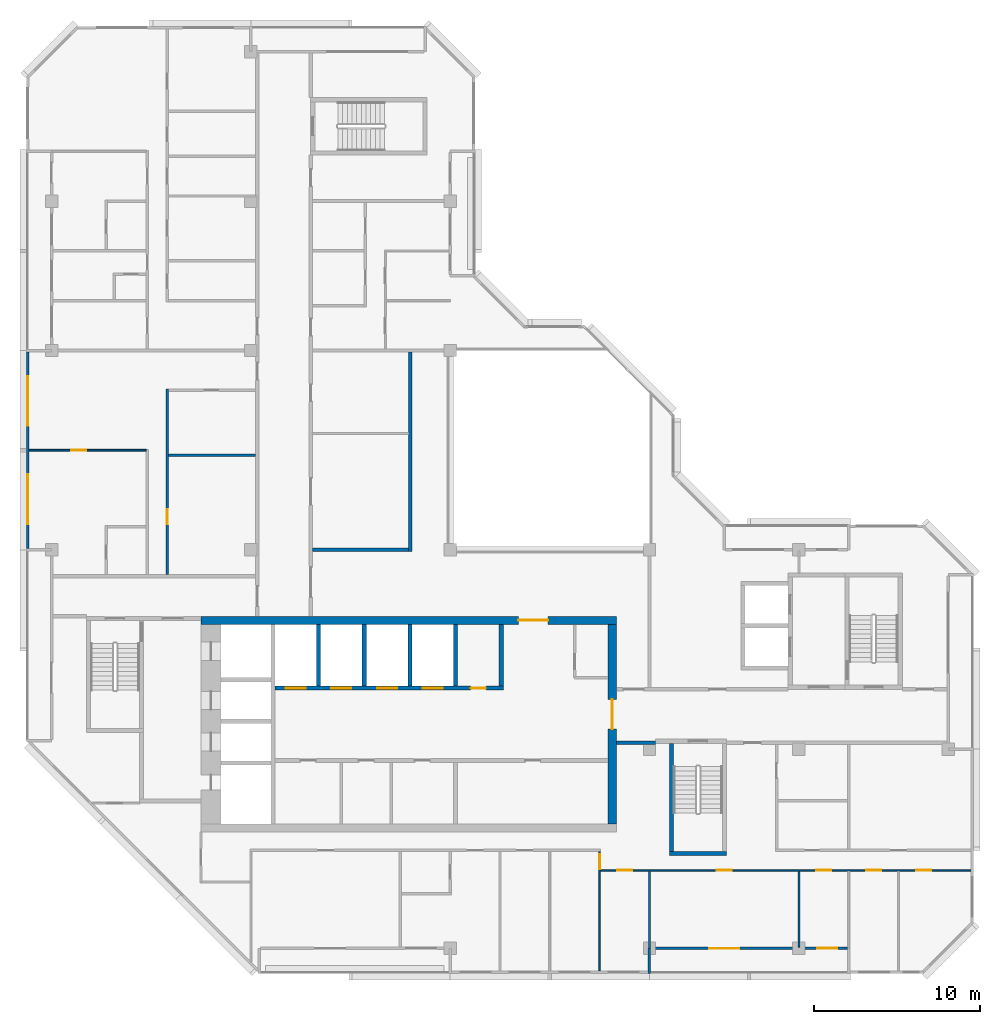
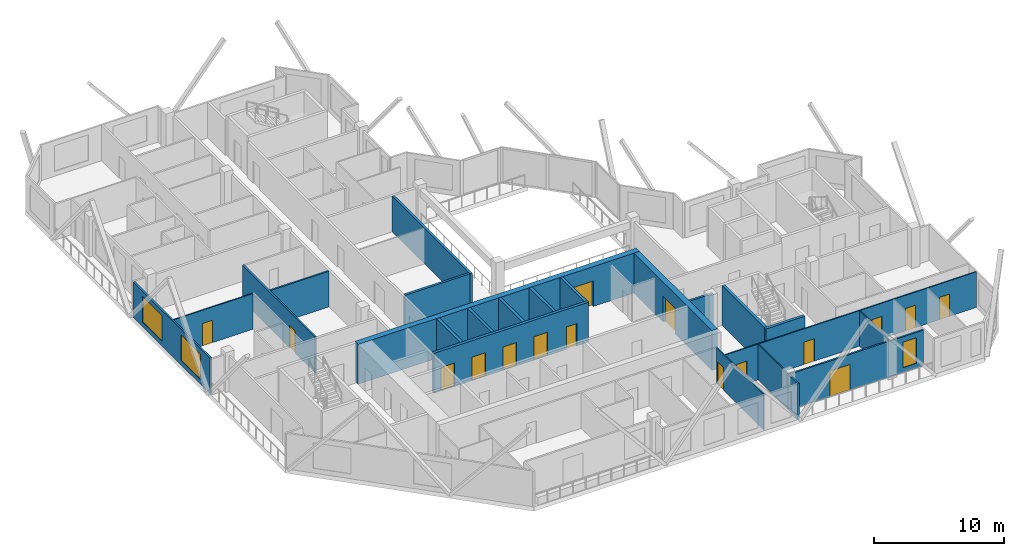
# One storey, part 5 of 12: 23 walls, 16 doors, 3 windows, 19 openings.
"""IFC4 building model written with IfcOpenShell, lengths in metres."""

from ifc_helpers import new_model, si_unit, direction, frame, frame_2d, origin, place, context, subcontext, project, spatial, rectangle, extrude, material, layer, layer_set, type_object, element, fill, save


model = new_model("IFC4")

# Units and contexts
model_context = context("Model", 3, precision=1e-05, world=origin(), true_north=direction((0.0, 1.0)))
body_context = subcontext(model_context, "Body", "Model", "MODEL_VIEW")
ifc_project = project(units=[si_unit("LENGTHUNIT", "METRE"), si_unit("AREAUNIT", "SQUARE_METRE"), si_unit("VOLUMEUNIT", "CUBIC_METRE"), si_unit("PLANEANGLEUNIT", "RADIAN"), si_unit("MASSUNIT", "GRAM", prefix="KILO")], contexts=[model_context])

# Site, building, storey
site_placement = place(None, origin())
site = spatial("IfcSite", under=ifc_project, at=site_placement, CompositionType="ELEMENT")
building_placement = place(site_placement, origin())
building = spatial("IfcBuilding", under=site, at=building_placement, Name="Chenar Terraces", CompositionType="ELEMENT")
storey_placement = place(building_placement, frame((0.0, 0.0, 346.39990234375)))
storey = spatial("IfcBuildingStorey", under=building, at=storey_placement, Name="L80", CompositionType="ELEMENT", Elevation=346.39990234375)

# Wall, openings, doors
ifc_material_1 = material(Name="Concrete C50/60", Category="concrete")
ifc_layer_1 = layer(ifc_material_1, 0.25)
ifc_layer_set_1 = layer_set([ifc_layer_1], Name="Concrete C50/60")
wall_type_1 = type_object("IfcWallType", Name="Core wall 250 Concrete C50/60", PredefinedType="SHEAR", material=ifc_layer_set_1)
wall_1_placement = place(storey_placement, frame((13.449951171875, 15.675048828125, 0.0), z_axis=(0.0, 0.0, 1.0), x_axis=(1.0, 0.0, 0.0)))
wall_1 = element("IfcWall", 1, at=wall_1_placement, inside=storey, type_object=wall_type_1, Name="Core wall NF L80", PredefinedType="SHEAR", context=body_context, shape_type="SweptSolid", body=[
    extrude(rectangle(XDim=13.75, YDim=0.25, at=frame_2d((6.875, 0.0))), origin(), (0.0, 0.0, 1.0), 3.75),
])
opening_1_placement = place(wall_1_placement, frame((0.64990234375, 0.0, 0.0)))
opening_1 = element("IfcOpeningElement", 2, at=opening_1_placement, cuts=wall_1, Name="Opening DL80-LD1", PredefinedType="OPENING", context=body_context, shape_type="SweptSolid", body=[
    extrude(rectangle(XDim=1.199951171875, YDim=2.199951171875, at=frame_2d((0.60009765625, 1.10009765625))), frame((0.0, 0.135009765625, 0.0), z_axis=(0.0, -1.0, 0.0), x_axis=(1.0, 0.0, 0.0)), (0.0, 0.0, 1.0), 0.27001953125),
])
opening_2_placement = place(wall_1_placement, frame((3.39990234375, 0.0, 0.0)))
opening_2 = element("IfcOpeningElement", 3, at=opening_2_placement, cuts=wall_1, Name="Opening DL80-LD2", PredefinedType="OPENING", context=body_context, shape_type="SweptSolid", body=[
    extrude(rectangle(XDim=1.199951171875, YDim=2.199951171875, at=frame_2d((0.60009765625, 1.10009765625))), frame((0.0, 0.135009765625, 0.0), z_axis=(0.0, -1.0, 0.0), x_axis=(1.0, 0.0, 0.0)), (0.0, 0.0, 1.0), 0.27001953125),
])
opening_3_placement = place(wall_1_placement, frame((6.14990234375, 0.0, 0.0)))
opening_3 = element("IfcOpeningElement", 4, at=opening_3_placement, cuts=wall_1, Name="Opening DL80-LD3", PredefinedType="OPENING", context=body_context, shape_type="SweptSolid", body=[
    extrude(rectangle(XDim=1.199951171875, YDim=2.199951171875, at=frame_2d((0.60009765625, 1.10009765625))), frame((0.0, 0.135009765625, 0.0), z_axis=(0.0, -1.0, 0.0), x_axis=(1.0, 0.0, 0.0)), (0.0, 0.0, 1.0), 0.27001953125),
])
opening_4_placement = place(wall_1_placement, frame((8.89990234375, 0.0, 0.0)))
opening_4 = element("IfcOpeningElement", 5, at=opening_4_placement, cuts=wall_1, Name="Opening DL80-LD4", PredefinedType="OPENING", context=body_context, shape_type="SweptSolid", body=[
    extrude(rectangle(XDim=1.199951171875, YDim=2.199951171875, at=frame_2d((0.60009765625, 1.10009765625))), frame((0.0, 0.135009765625, 0.0), z_axis=(0.0, -1.0, 0.0), x_axis=(1.0, 0.0, 0.0)), (0.0, 0.0, 1.0), 0.27001953125),
])
opening_5_placement = place(wall_1_placement, frame((11.800048828125, 0.0, 0.0)))
opening_5 = element("IfcOpeningElement", 6, at=opening_5_placement, cuts=wall_1, Name="Opening DL80-C16", PredefinedType="OPENING", context=body_context, shape_type="SweptSolid", body=[
    extrude(rectangle(XDim=0.89990234375, YDim=2.10009765625, at=frame_2d((0.449951171875, 1.050048828125))), frame((0.0, 0.135009765625, 0.0), z_axis=(0.0, -1.0, 0.0), x_axis=(1.0, 0.0, 0.0)), (0.0, 0.0, 1.0), 0.27001953125),
])
ifc_material_2 = material(Name="Stainless steel", Category="steel")
door_type_1 = type_object("IfcDoorType", Name="Lift landing door 1200 x 2200 sliding", OperationType="DOUBLE_DOOR_SLIDING", PredefinedType="DOOR", material=ifc_material_2)
door_1_placement = place(opening_1_placement, origin())
door_1 = element("IfcDoor", 7, at=door_1_placement, inside=storey, type_object=door_type_1, Name="Landing door H1", OperationType="DOUBLE_DOOR_SLIDING", OverallHeight=2.199951171875, OverallWidth=1.199951171875, PredefinedType="DOOR", context=body_context, shape_type="SweptSolid", body=[
    extrude(rectangle(XDim=1.199951171875, YDim=2.199951171875, at=frame_2d((0.60009765625, 1.10009765625))), frame((0.0, 0.02490234375, 0.0), z_axis=(0.0, -1.0, 0.0), x_axis=(1.0, 0.0, 0.0)), (0.0, 0.0, 1.0), 0.050048828125),
])
fill(opening_1, door_1)
door_2_placement = place(opening_2_placement, origin())
door_2 = element("IfcDoor", 8, at=door_2_placement, inside=storey, type_object=door_type_1, Name="Landing door H2", OperationType="DOUBLE_DOOR_SLIDING", OverallHeight=2.199951171875, OverallWidth=1.199951171875, PredefinedType="DOOR", context=body_context, shape_type="SweptSolid", body=[
    extrude(rectangle(XDim=1.199951171875, YDim=2.199951171875, at=frame_2d((0.60009765625, 1.10009765625))), frame((0.0, 0.02490234375, 0.0), z_axis=(0.0, -1.0, 0.0), x_axis=(1.0, 0.0, 0.0)), (0.0, 0.0, 1.0), 0.050048828125),
])
fill(opening_2, door_2)
door_3_placement = place(opening_3_placement, origin())
door_3 = element("IfcDoor", 9, at=door_3_placement, inside=storey, type_object=door_type_1, Name="Landing door H3", OperationType="DOUBLE_DOOR_SLIDING", OverallHeight=2.199951171875, OverallWidth=1.199951171875, PredefinedType="DOOR", context=body_context, shape_type="SweptSolid", body=[
    extrude(rectangle(XDim=1.199951171875, YDim=2.199951171875, at=frame_2d((0.60009765625, 1.10009765625))), frame((0.0, 0.02490234375, 0.0), z_axis=(0.0, -1.0, 0.0), x_axis=(1.0, 0.0, 0.0)), (0.0, 0.0, 1.0), 0.050048828125),
])
fill(opening_3, door_3)
door_4_placement = place(opening_4_placement, origin())
door_4 = element("IfcDoor", 10, at=door_4_placement, inside=storey, type_object=door_type_1, Name="Landing door H4", OperationType="DOUBLE_DOOR_SLIDING", OverallHeight=2.199951171875, OverallWidth=1.199951171875, PredefinedType="DOOR", context=body_context, shape_type="SweptSolid", body=[
    extrude(rectangle(XDim=1.199951171875, YDim=2.199951171875, at=frame_2d((0.60009765625, 1.10009765625))), frame((0.0, 0.02490234375, 0.0), z_axis=(0.0, -1.0, 0.0), x_axis=(1.0, 0.0, 0.0)), (0.0, 0.0, 1.0), 0.050048828125),
])
fill(opening_4, door_4)
ifc_material_3 = material(Name="Steel-framed fire-resisting door leaf", Category="steel")
door_type_2 = type_object("IfcDoorType", Name="Riser fire door FD60 900 x 2100", OperationType="SINGLE_SWING_LEFT", PredefinedType="DOOR", material=ifc_material_3)
door_5_placement = place(opening_5_placement, origin())
door_5 = element("IfcDoor", 11, at=door_5_placement, inside=storey, type_object=door_type_2, Name="Core room door DL80-C16", OperationType="SINGLE_SWING_RIGHT", OverallHeight=2.10009765625, OverallWidth=0.89990234375, PredefinedType="DOOR", context=body_context, shape_type="SweptSolid", body=[
    extrude(rectangle(XDim=0.89990234375, YDim=2.10009765625, at=frame_2d((0.449951171875, 1.050048828125))), frame((0.0, 0.02490234375, 0.0), z_axis=(0.0, -1.0, 0.0), x_axis=(1.0, 0.0, 0.0)), (0.0, 0.0, 1.0), 0.050048828125),
])
fill(opening_5, door_5)

# Walls
for number, where, z_axis, x_axis, name in (
    (12, (16.074951171875, 15.800048828125, 0.0), (0.0, 0.0, 1.0), (0.0, 1.0, 0.0), "Core wall NS0 L80"),
    (13, (18.824951171875, 15.800048828125, 0.0), (0.0, 0.0, 1.0), (0.0, 1.0, 0.0), "Core wall NS1 L80"),
    (14, (21.574951171875, 15.800048828125, 0.0), (0.0, 0.0, 1.0), (0.0, 1.0, 0.0), "Core wall NS2 L80"),
    (15, (24.324951171875, 15.800048828125, 0.0), (0.0, 0.0, 1.0), (0.0, 1.0, 0.0), "Core wall NS3 L80"),
    (16, (27.074951171875, 15.800048828125, 0.0), (0.0, 0.0, 1.0), (0.0, 1.0, 0.0), "Core wall NE L80"),
):
    element("IfcWall", number, at=place(storey_placement, frame(where, z_axis=z_axis, x_axis=x_axis)), inside=storey, type_object=wall_type_1, Name=name, PredefinedType="SHEAR", context=body_context, shape_type="SweptSolid", body=[
        extrude(rectangle(XDim=3.699951171875, YDim=0.25, at=frame_2d((1.85009765625, 0.0))), origin(), (0.0, 0.0, 1.0), 3.75),
    ])
wall_2_placement = place(storey_placement, frame((37.199951171875, 5.72509765625, 0.0), z_axis=(0.0, 0.0, 1.0), x_axis=(1.0, 0.0, 0.0)))
element("IfcWall", 17, at=wall_2_placement, inside=storey, type_object=wall_type_1, Name="Core wall ST2_S L80", PredefinedType="SHEAR", context=body_context, shape_type="SweptSolid", body=[
    extrude(rectangle(XDim=3.449951171875, YDim=0.25, at=frame_2d((1.72509765625, 0.0))), origin(), (0.0, 0.0, 1.0), 3.75),
])
wall_3_placement = place(storey_placement, frame((37.324951171875, 5.85009765625, 0.0), z_axis=(0.0, 0.0, 1.0), x_axis=(0.0, 1.0, 0.0)))
element("IfcWall", 18, at=wall_3_placement, inside=storey, type_object=wall_type_1, Name="Core wall ST2_W L80", PredefinedType="SHEAR", context=body_context, shape_type="SweptSolid", body=[
    extrude(rectangle(XDim=6.5, YDim=0.25, at=frame_2d((3.25, 0.0))), origin(), (0.0, 0.0, 1.0), 3.75),
])

# Wall, opening, door
ifc_material_4 = material(Name="Concrete C50/60", Category="concrete")
ifc_layer_2 = layer(ifc_material_4, 0.5)
ifc_layer_set_2 = layer_set([ifc_layer_2], Name="Concrete C50/60")
wall_type_2 = type_object("IfcWallType", Name="Core wall 500 Concrete C50/60", PredefinedType="SHEAR", material=ifc_layer_set_2)
wall_4_placement = place(storey_placement, frame((9.0, 19.75, 0.0), z_axis=(0.0, 0.0, 1.0), x_axis=(1.0, 0.0, 0.0)))
wall_4 = element("IfcWall", 19, at=wall_4_placement, inside=storey, type_object=wall_type_2, Name="Core wall N L80", PredefinedType="SHEAR", context=body_context, shape_type="SweptSolid", body=[
    extrude(rectangle(XDim=25.0, YDim=0.5, at=frame_2d((12.5, 0.0))), origin(), (0.0, 0.0, 1.0), 3.75),
])
opening_6_placement = place(wall_4_placement, frame((19.10009765625, 0.0, 0.0)))
opening_6 = element("IfcOpeningElement", 20, at=opening_6_placement, cuts=wall_4, Name="Opening DL80-C2", PredefinedType="OPENING", context=body_context, shape_type="SweptSolid", body=[
    extrude(rectangle(XDim=1.800048828125, YDim=2.39990234375, at=frame_2d((0.89990234375, 1.199951171875))), frame((0.0, 0.260009765625, 0.0), z_axis=(0.0, -1.0, 0.0), x_axis=(1.0, 0.0, 0.0)), (0.0, 0.0, 1.0), 0.52001953125),
])
ifc_material_5 = material(Name="Steel-framed fire-resisting door leaf", Category="steel")
door_type_3 = type_object("IfcDoorType", Name="Core entrance double fire door FD60 1800 x 2400", OperationType="DOUBLE_DOOR_SINGLE_SWING", PredefinedType="DOOR", material=ifc_material_5)
door_6_placement = place(opening_6_placement, frame((1.800048828125, 0.0, 0.0), z_axis=(0.0, 0.0, 1.0), x_axis=(-1.0, 0.0, 0.0)))
door_6 = element("IfcDoor", 21, at=door_6_placement, inside=storey, type_object=door_type_3, Name="Core door DL80-C2", OperationType="DOUBLE_DOOR_SINGLE_SWING", OverallHeight=2.39990234375, OverallWidth=1.800048828125, PredefinedType="DOOR", context=body_context, shape_type="SweptSolid", body=[
    extrude(rectangle(XDim=1.800048828125, YDim=2.39990234375, at=frame_2d((0.89990234375, 1.199951171875))), frame((0.0, 0.02490234375, 0.0), z_axis=(0.0, -1.0, 0.0), x_axis=(1.0, 0.0, 0.0)), (0.0, 0.0, 1.0), 0.050048828125),
])
fill(opening_6, door_6)

wall_5_placement = place(storey_placement, frame((33.75, 7.5, 0.0), z_axis=(0.0, 0.0, 1.0), x_axis=(0.0, 1.0, 0.0)))
wall_5 = element("IfcWall", 22, at=wall_5_placement, inside=storey, type_object=wall_type_2, Name="Core wall E L80", PredefinedType="SHEAR", context=body_context, shape_type="SweptSolid", body=[
    extrude(rectangle(XDim=12.0, YDim=0.5, at=frame_2d((6.0, 0.0))), origin(), (0.0, 0.0, 1.0), 3.75),
])
opening_7_placement = place(wall_5_placement, frame((5.699951171875, 0.0, 0.0)))
opening_7 = element("IfcOpeningElement", 23, at=opening_7_placement, cuts=wall_5, Name="Opening DL80-C1", PredefinedType="OPENING", context=body_context, shape_type="SweptSolid", body=[
    extrude(rectangle(XDim=1.800048828125, YDim=2.39990234375, at=frame_2d((0.89990234375, 1.199951171875))), frame((0.0, 0.260009765625, 0.0), z_axis=(0.0, -1.0, 0.0), x_axis=(1.0, 0.0, 0.0)), (0.0, 0.0, 1.0), 0.52001953125),
])
door_7_placement = place(opening_7_placement, origin())
door_7 = element("IfcDoor", 24, at=door_7_placement, inside=storey, type_object=door_type_3, Name="Core door DL80-C1", OperationType="DOUBLE_DOOR_SINGLE_SWING", OverallHeight=2.39990234375, OverallWidth=1.800048828125, PredefinedType="DOOR", context=body_context, shape_type="SweptSolid", body=[
    extrude(rectangle(XDim=1.800048828125, YDim=2.39990234375, at=frame_2d((0.89990234375, 1.199951171875))), frame((0.0, 0.02490234375, 0.0), z_axis=(0.0, -1.0, 0.0), x_axis=(1.0, 0.0, 0.0)), (0.0, 0.0, 1.0), 0.050048828125),
])
fill(opening_7, door_7)

# Walls
ifc_material_6 = material(Name="Gypsum board on steel studs with fire boards", Category="steel")
ifc_layer_3 = layer(ifc_material_6, 0.199951171875)
ifc_layer_set_3 = layer_set([ifc_layer_3], Name="Gypsum board on steel studs with fire boards")
wall_type_3 = type_object("IfcWallType", Name="Corridor wall 200", PredefinedType="PARTITIONING", material=ifc_layer_set_3)
wall_6_placement = place(storey_placement, frame((15.699951171875, 24.0, 0.0), z_axis=(0.0, 0.0, 1.0), x_axis=(1.0, 0.0, 0.0)))
element("IfcWall", 25, at=wall_6_placement, inside=storey, type_object=wall_type_3, Name="Partition L80-033", PredefinedType="PARTITIONING", context=body_context, shape_type="SweptSolid", body=[
    extrude(rectangle(XDim=5.800048828125, YDim=0.199951171875, at=frame_2d((2.89990234375, 0.0))), origin(), (0.0, 0.0, 1.0), 3.35009765625),
])
wall_7_placement = place(storey_placement, frame((21.60009765625, 23.89990234375, 0.0), z_axis=(0.0, 0.0, 1.0), x_axis=(0.0, 1.0, 0.0)))
element("IfcWall", 26, at=wall_7_placement, inside=storey, type_object=wall_type_3, Name="Partition L80-045", PredefinedType="PARTITIONING", context=body_context, shape_type="SweptSolid", body=[
    extrude(rectangle(XDim=12.0, YDim=0.199951171875, at=frame_2d((6.0, 0.0))), origin(), (0.0, 0.0, 1.0), 3.35009765625),
])
wall_8_placement = place(storey_placement, frame((34.0, 12.375, 0.0), z_axis=(0.0, 0.0, 1.0), x_axis=(1.0, 0.0, 0.0)))
element("IfcWall", 27, at=wall_8_placement, inside=storey, type_object=wall_type_3, Name="Partition L80-051", PredefinedType="PARTITIONING", context=body_context, shape_type="SweptSolid", body=[
    extrude(rectangle(XDim=2.3759765625, YDim=0.199951171875, at=frame_2d((1.18798828125, 0.0))), origin(), (0.0, 0.0, 1.0), 3.35009765625),
])

# Wall, openings, windows
ifc_material_7 = material(Name="Aluminium framed glazing", Category="aluminium")
ifc_layer_4 = layer(ifc_material_7, 0.14990234375)
ifc_layer_set_4 = layer_set([ifc_layer_4], Name="Aluminium framed glazing")
wall_type_4 = type_object("IfcWallType", Name="Glazed flush facade wall 150", PredefinedType="SOLIDWALL", material=ifc_layer_set_4)
wall_9_placement = place(storey_placement, frame((-1.425048828125, 35.925048828125, 0.0), z_axis=(0.0, 0.0, 1.0), x_axis=(0.0, -1.0, 0.0)))
wall_9 = element("IfcWall", 28, at=wall_9_placement, inside=storey, type_object=wall_type_4, Name="Glazed flush facade wall", PredefinedType="SOLIDWALL", context=body_context, shape_type="SweptSolid", body=[
    extrude(rectangle(XDim=11.85009765625, YDim=0.14990234375, at=frame_2d((5.925048828125, 0.0))), origin(), (0.0, 0.0, 1.0), 3.35009765625),
])
opening_8_placement = place(wall_9_placement, frame((1.46240234375, 0.0, 0.449951171875)))
opening_8 = element("IfcOpeningElement", 29, at=opening_8_placement, cuts=wall_9, Name="Opening W300x240", PredefinedType="OPENING", context=body_context, shape_type="SweptSolid", body=[
    extrude(rectangle(XDim=3.0, YDim=2.39990234375, at=frame_2d((1.5, 1.199951171875))), frame((0.0, 0.0849609375, 0.0), z_axis=(0.0, -1.0, 0.0), x_axis=(1.0, 0.0, 0.0)), (0.0, 0.0, 1.0), 0.169921875),
])
opening_9_placement = place(wall_9_placement, frame((7.387451171875, 0.0, 0.449951171875)))
opening_9 = element("IfcOpeningElement", 30, at=opening_9_placement, cuts=wall_9, Name="Opening W300x240", PredefinedType="OPENING", context=body_context, shape_type="SweptSolid", body=[
    extrude(rectangle(XDim=3.0, YDim=2.39990234375, at=frame_2d((1.5, 1.199951171875))), frame((0.0, 0.0849609375, 0.0), z_axis=(0.0, -1.0, 0.0), x_axis=(1.0, 0.0, 0.0)), (0.0, 0.0, 1.0), 0.169921875),
])
ifc_material_8 = material(Name="Low emissivity double glazing, aluminium frame", Category="aluminium")
window_type_1 = type_object("IfcWindowType", Name="Fixed light 3000 x 2400", PartitioningType="SINGLE_PANEL", PredefinedType="WINDOW", material=ifc_material_8)
window_1_placement = place(opening_8_placement, origin())
window_1 = element("IfcWindow", 31, at=window_1_placement, inside=storey, type_object=window_type_1, Name="Window", OverallHeight=2.39990234375, OverallWidth=3.0, PartitioningType="SINGLE_PANEL", PredefinedType="WINDOW", context=body_context, shape_type="SweptSolid", body=[
    extrude(rectangle(XDim=3.0, YDim=2.39990234375, at=frame_2d((1.5, 1.199951171875))), frame((0.0, 0.030029296875, 0.0), z_axis=(0.0, -1.0, 0.0), x_axis=(1.0, 0.0, 0.0)), (0.0, 0.0, 1.0), 0.06005859375),
])
fill(opening_8, window_1)
window_2_placement = place(opening_9_placement, origin())
window_2 = element("IfcWindow", 32, at=window_2_placement, inside=storey, type_object=window_type_1, Name="Window", OverallHeight=2.39990234375, OverallWidth=3.0, PartitioningType="SINGLE_PANEL", PredefinedType="WINDOW", context=body_context, shape_type="SweptSolid", body=[
    extrude(rectangle(XDim=3.0, YDim=2.39990234375, at=frame_2d((1.5, 1.199951171875))), frame((0.0, 0.030029296875, 0.0), z_axis=(0.0, -1.0, 0.0), x_axis=(1.0, 0.0, 0.0)), (0.0, 0.0, 1.0), 0.06005859375),
])
fill(opening_9, window_2)

# Wall, openings, window, door
ifc_material_9 = material(Name="Aluminium framed glazing", Category="aluminium")
ifc_layer_5 = layer(ifc_material_9, 0.14990234375)
ifc_layer_set_5 = layer_set([ifc_layer_5], Name="Aluminium framed glazing")
wall_type_5 = type_object("IfcWallType", Name="Glazed loggia back wall 150", PredefinedType="SOLIDWALL", material=ifc_layer_set_5)
wall_10_placement = place(storey_placement, frame((36.074951171875, 0.0, 0.0), z_axis=(0.0, 0.0, 1.0), x_axis=(1.0, 0.0, 0.0)))
wall_10 = element("IfcWall", 33, at=wall_10_placement, inside=storey, type_object=wall_type_5, Name="Glazed loggia back wall", PredefinedType="SOLIDWALL", context=body_context, shape_type="SweptSolid", body=[
    extrude(rectangle(XDim=11.85009765625, YDim=0.14990234375, at=frame_2d((5.925048828125, 0.0))), origin(), (0.0, 0.0, 1.0), 3.35009765625),
])
opening_10_placement = place(wall_10_placement, frame((3.52490234375, 0.0, 0.0)))
opening_10 = element("IfcOpeningElement", 34, at=opening_10_placement, cuts=wall_10, Name="Opening DL80-G4", PredefinedType="OPENING", context=body_context, shape_type="SweptSolid", body=[
    extrude(rectangle(XDim=1.800048828125, YDim=2.39990234375, at=frame_2d((0.89990234375, 1.199951171875))), frame((0.0, 0.0849609375, 0.0), z_axis=(0.0, -1.0, 0.0), x_axis=(1.0, 0.0, 0.0)), (0.0, 0.0, 1.0), 0.169921875),
])
opening_11_placement = place(wall_10_placement, frame((10.02490234375, 0.0, 0.449951171875)))
opening_11 = element("IfcOpeningElement", 35, at=opening_11_placement, cuts=wall_10, Name="Opening W120x240", PredefinedType="OPENING", context=body_context, shape_type="SweptSolid", body=[
    extrude(rectangle(XDim=1.199951171875, YDim=2.39990234375, at=frame_2d((0.60009765625, 1.199951171875))), frame((0.0, 0.0849609375, 0.0), z_axis=(0.0, -1.0, 0.0), x_axis=(1.0, 0.0, 0.0)), (0.0, 0.0, 1.0), 0.169921875),
])
ifc_material_10 = material(Name="Low emissivity double glazing, aluminium frame", Category="aluminium")
window_type_2 = type_object("IfcWindowType", Name="Fixed light 1200 x 2400", PartitioningType="SINGLE_PANEL", PredefinedType="WINDOW", material=ifc_material_10)
window_3_placement = place(opening_11_placement, origin())
window_3 = element("IfcWindow", 36, at=window_3_placement, inside=storey, type_object=window_type_2, Name="Window", OverallHeight=2.39990234375, OverallWidth=1.199951171875, PartitioningType="SINGLE_PANEL", PredefinedType="WINDOW", context=body_context, shape_type="SweptSolid", body=[
    extrude(rectangle(XDim=1.199951171875, YDim=2.39990234375, at=frame_2d((0.60009765625, 1.199951171875))), frame((0.0, 0.030029296875, 0.0), z_axis=(0.0, -1.0, 0.0), x_axis=(1.0, 0.0, 0.0)), (0.0, 0.0, 1.0), 0.06005859375),
])
fill(opening_11, window_3)
ifc_material_11 = material(Name="Low emissivity double glazing, aluminium frame", Category="aluminium")
door_type_4 = type_object("IfcDoorType", Name="Loggia glazed double door 1800 x 2400", OperationType="DOUBLE_DOOR_SINGLE_SWING", PredefinedType="DOOR", material=ifc_material_11)
door_8_placement = place(opening_10_placement, frame((1.800048828125, 0.0, 0.0), z_axis=(0.0, 0.0, 1.0), x_axis=(-1.0, 0.0, 0.0)))
door_8 = element("IfcDoor", 37, at=door_8_placement, inside=storey, type_object=door_type_4, Name="Loggia glazed door", OperationType="DOUBLE_DOOR_SINGLE_SWING", OverallHeight=2.39990234375, OverallWidth=1.800048828125, PredefinedType="DOOR", context=body_context, shape_type="SweptSolid", body=[
    extrude(rectangle(XDim=1.800048828125, YDim=2.39990234375, at=frame_2d((0.89990234375, 1.199951171875))), frame((0.0, 0.02490234375, 0.0), z_axis=(0.0, -1.0, 0.0), x_axis=(1.0, 0.0, 0.0)), (0.0, 0.0, 1.0), 0.050048828125),
])
fill(opening_10, door_8)

# Wall, opening, door
ifc_material_12 = material(Name="Gypsum board on steel studs", Category="steel")
ifc_layer_6 = layer(ifc_material_12, 0.10009765625)
ifc_layer_set_6 = layer_set([ifc_layer_6], Name="Gypsum board on steel studs")
wall_type_6 = type_object("IfcWallType", Name="Gypsum partition 100", PredefinedType="PARTITIONING", material=ifc_layer_set_6)
wall_11_placement = place(storey_placement, frame((-1.35009765625, 30.0, 0.0), z_axis=(0.0, 0.0, 1.0), x_axis=(1.0, 0.0, 0.0)))
wall_11 = element("IfcWall", 38, at=wall_11_placement, inside=storey, type_object=wall_type_6, Name="Partition L80-001", PredefinedType="PARTITIONING", context=body_context, shape_type="SweptSolid", body=[
    extrude(rectangle(XDim=7.050048828125, YDim=0.10009765625, at=frame_2d((3.52490234375, 0.0))), origin(), (0.0, 0.0, 1.0), 3.35009765625),
])
opening_12_placement = place(wall_11_placement, frame((2.550048828125, 0.0, 0.0)))
opening_12 = element("IfcOpeningElement", 39, at=opening_12_placement, cuts=wall_11, Name="Opening DL80-42", PredefinedType="OPENING", context=body_context, shape_type="SweptSolid", body=[
    extrude(rectangle(XDim=0.89990234375, YDim=2.10009765625, at=frame_2d((0.449951171875, 1.050048828125))), frame((0.0, 0.06005859375, 0.0), z_axis=(0.0, -1.0, 0.0), x_axis=(1.0, 0.0, 0.0)), (0.0, 0.0, 1.0), 0.1201171875),
])
ifc_material_13 = material(Name="Veneered timber door leaf", Category="wood")
door_type_5 = type_object("IfcDoorType", Name="Door 900 x 2100", OperationType="SINGLE_SWING_LEFT", PredefinedType="DOOR", material=ifc_material_13)
door_9_placement = place(opening_12_placement, frame((0.89990234375, 0.0, 0.0), z_axis=(0.0, 0.0, 1.0), x_axis=(-1.0, 0.0, 0.0)))
door_9 = element("IfcDoor", 40, at=door_9_placement, inside=storey, type_object=door_type_5, Name="Door DL80-42", OperationType="SINGLE_SWING_LEFT", OverallHeight=2.10009765625, OverallWidth=0.89990234375, PredefinedType="DOOR", context=body_context, shape_type="SweptSolid", body=[
    extrude(rectangle(XDim=0.89990234375, YDim=2.10009765625, at=frame_2d((0.449951171875, 1.050048828125))), frame((0.0, 0.02490234375, 0.0), z_axis=(0.0, -1.0, 0.0), x_axis=(1.0, 0.0, 0.0)), (0.0, 0.0, 1.0), 0.050048828125),
])
fill(opening_12, door_9)

wall_12_placement = place(storey_placement, frame((33.0, -1.35107421875, 0.0), z_axis=(0.0, 0.0, 1.0), x_axis=(0.0, 1.0, 0.0)))
wall_12 = element("IfcWall", 41, at=wall_12_placement, inside=storey, type_object=wall_type_6, Name="Partition L80-049", PredefinedType="PARTITIONING", context=body_context, shape_type="SweptSolid", body=[
    extrude(rectangle(XDim=7.176025390625, YDim=0.10009765625, at=frame_2d((3.587890625, 0.0))), origin(), (0.0, 0.0, 1.0), 3.35009765625),
])
opening_13_placement = place(wall_12_placement, frame((6.1259765625, 0.0, 0.0)))
opening_13 = element("IfcOpeningElement", 42, at=opening_13_placement, cuts=wall_12, Name="Opening DL80-27", PredefinedType="OPENING", context=body_context, shape_type="SweptSolid", body=[
    extrude(rectangle(XDim=0.89990234375, YDim=2.10009765625, at=frame_2d((0.449951171875, 1.050048828125))), frame((0.0, 0.06005859375, 0.0), z_axis=(0.0, -1.0, 0.0), x_axis=(1.0, 0.0, 0.0)), (0.0, 0.0, 1.0), 0.1201171875),
])
door_10_placement = place(opening_13_placement, origin())
door_10 = element("IfcDoor", 43, at=door_10_placement, inside=storey, type_object=door_type_5, Name="Door DL80-27", OperationType="SINGLE_SWING_RIGHT", OverallHeight=2.10009765625, OverallWidth=0.89990234375, PredefinedType="DOOR", context=body_context, shape_type="SweptSolid", body=[
    extrude(rectangle(XDim=0.89990234375, YDim=2.10009765625, at=frame_2d((0.449951171875, 1.050048828125))), frame((0.0, 0.02490234375, 0.0), z_axis=(0.0, -1.0, 0.0), x_axis=(1.0, 0.0, 0.0)), (0.0, 0.0, 1.0), 0.050048828125),
])
fill(opening_13, door_10)

# Wall, openings, doors
wall_13_placement = place(storey_placement, frame((33.050048828125, 4.699951171875, 0.0), z_axis=(0.0, 0.0, 1.0), x_axis=(1.0, 0.0, 0.0)))
wall_13 = element("IfcWall", 44, at=wall_13_placement, inside=storey, type_object=wall_type_6, Name="Partition L80-050", PredefinedType="PARTITIONING", context=body_context, shape_type="SweptSolid", body=[
    extrude(rectangle(XDim=22.301025390625, YDim=0.10009765625, at=frame_2d((11.150390625, 0.0))), origin(), (0.0, 0.0, 1.0), 3.35009765625),
])
opening_14_placement = place(wall_13_placement, frame((1.0, 0.0, 0.0)))
opening_14 = element("IfcOpeningElement", 45, at=opening_14_placement, cuts=wall_13, Name="Opening DL80-28", PredefinedType="OPENING", context=body_context, shape_type="SweptSolid", body=[
    extrude(rectangle(XDim=0.89990234375, YDim=2.10009765625, at=frame_2d((0.449951171875, 1.050048828125))), frame((0.0, 0.06005859375, 0.0), z_axis=(0.0, -1.0, 0.0), x_axis=(1.0, 0.0, 0.0)), (0.0, 0.0, 1.0), 0.1201171875),
])
opening_15_placement = place(wall_13_placement, frame((13.0, 0.0, 0.0)))
opening_15 = element("IfcOpeningElement", 46, at=opening_15_placement, cuts=wall_13, Name="Opening DL80-29", PredefinedType="OPENING", context=body_context, shape_type="SweptSolid", body=[
    extrude(rectangle(XDim=0.89990234375, YDim=2.10009765625, at=frame_2d((0.449951171875, 1.050048828125))), frame((0.0, 0.06005859375, 0.0), z_axis=(0.0, -1.0, 0.0), x_axis=(1.0, 0.0, 0.0)), (0.0, 0.0, 1.0), 0.1201171875),
])
opening_16_placement = place(wall_13_placement, frame((16.0, 0.0, 0.0)))
opening_16 = element("IfcOpeningElement", 47, at=opening_16_placement, cuts=wall_13, Name="Opening DL80-30", PredefinedType="OPENING", context=body_context, shape_type="SweptSolid", body=[
    extrude(rectangle(XDim=0.89990234375, YDim=2.10009765625, at=frame_2d((0.449951171875, 1.050048828125))), frame((0.0, 0.06005859375, 0.0), z_axis=(0.0, -1.0, 0.0), x_axis=(1.0, 0.0, 0.0)), (0.0, 0.0, 1.0), 0.1201171875),
])
opening_17_placement = place(wall_13_placement, frame((19.0, 0.0, 0.0)))
opening_17 = element("IfcOpeningElement", 48, at=opening_17_placement, cuts=wall_13, Name="Opening DL80-31", PredefinedType="OPENING", context=body_context, shape_type="SweptSolid", body=[
    extrude(rectangle(XDim=0.89990234375, YDim=2.10009765625, at=frame_2d((0.449951171875, 1.050048828125))), frame((0.0, 0.06005859375, 0.0), z_axis=(0.0, -1.0, 0.0), x_axis=(1.0, 0.0, 0.0)), (0.0, 0.0, 1.0), 0.1201171875),
])
opening_18_placement = place(wall_13_placement, frame((7.0, 0.0, 0.0)))
opening_18 = element("IfcOpeningElement", 49, at=opening_18_placement, cuts=wall_13, Name="Opening DL80-40", PredefinedType="OPENING", context=body_context, shape_type="SweptSolid", body=[
    extrude(rectangle(XDim=0.89990234375, YDim=2.10009765625, at=frame_2d((0.449951171875, 1.050048828125))), frame((0.0, 0.06005859375, 0.0), z_axis=(0.0, -1.0, 0.0), x_axis=(1.0, 0.0, 0.0)), (0.0, 0.0, 1.0), 0.1201171875),
])
door_11_placement = place(opening_14_placement, frame((0.89990234375, 0.0, 0.0), z_axis=(0.0, 0.0, 1.0), x_axis=(-1.0, 0.0, 0.0)))
door_11 = element("IfcDoor", 50, at=door_11_placement, inside=storey, type_object=door_type_5, Name="Door DL80-28", OperationType="SINGLE_SWING_LEFT", OverallHeight=2.10009765625, OverallWidth=0.89990234375, PredefinedType="DOOR", context=body_context, shape_type="SweptSolid", body=[
    extrude(rectangle(XDim=0.89990234375, YDim=2.10009765625, at=frame_2d((0.449951171875, 1.050048828125))), frame((0.0, 0.02490234375, 0.0), z_axis=(0.0, -1.0, 0.0), x_axis=(1.0, 0.0, 0.0)), (0.0, 0.0, 1.0), 0.050048828125),
])
fill(opening_14, door_11)
door_12_placement = place(opening_15_placement, frame((0.89990234375, 0.0, 0.0), z_axis=(0.0, 0.0, 1.0), x_axis=(-1.0, 0.0, 0.0)))
door_12 = element("IfcDoor", 51, at=door_12_placement, inside=storey, type_object=door_type_5, Name="Door DL80-29", OperationType="SINGLE_SWING_LEFT", OverallHeight=2.10009765625, OverallWidth=0.89990234375, PredefinedType="DOOR", context=body_context, shape_type="SweptSolid", body=[
    extrude(rectangle(XDim=0.89990234375, YDim=2.10009765625, at=frame_2d((0.449951171875, 1.050048828125))), frame((0.0, 0.02490234375, 0.0), z_axis=(0.0, -1.0, 0.0), x_axis=(1.0, 0.0, 0.0)), (0.0, 0.0, 1.0), 0.050048828125),
])
fill(opening_15, door_12)
door_13_placement = place(opening_16_placement, frame((0.89990234375, 0.0, 0.0), z_axis=(0.0, 0.0, 1.0), x_axis=(-1.0, 0.0, 0.0)))
door_13 = element("IfcDoor", 52, at=door_13_placement, inside=storey, type_object=door_type_5, Name="Door DL80-30", OperationType="SINGLE_SWING_LEFT", OverallHeight=2.10009765625, OverallWidth=0.89990234375, PredefinedType="DOOR", context=body_context, shape_type="SweptSolid", body=[
    extrude(rectangle(XDim=0.89990234375, YDim=2.10009765625, at=frame_2d((0.449951171875, 1.050048828125))), frame((0.0, 0.02490234375, 0.0), z_axis=(0.0, -1.0, 0.0), x_axis=(1.0, 0.0, 0.0)), (0.0, 0.0, 1.0), 0.050048828125),
])
fill(opening_16, door_13)
door_14_placement = place(opening_17_placement, frame((0.89990234375, 0.0, 0.0), z_axis=(0.0, 0.0, 1.0), x_axis=(-1.0, 0.0, 0.0)))
door_14 = element("IfcDoor", 53, at=door_14_placement, inside=storey, type_object=door_type_5, Name="Door DL80-31", OperationType="SINGLE_SWING_RIGHT", OverallHeight=2.10009765625, OverallWidth=0.89990234375, PredefinedType="DOOR", context=body_context, shape_type="SweptSolid", body=[
    extrude(rectangle(XDim=0.89990234375, YDim=2.10009765625, at=frame_2d((0.449951171875, 1.050048828125))), frame((0.0, 0.02490234375, 0.0), z_axis=(0.0, -1.0, 0.0), x_axis=(1.0, 0.0, 0.0)), (0.0, 0.0, 1.0), 0.050048828125),
])
fill(opening_17, door_14)
door_15_placement = place(opening_18_placement, frame((0.89990234375, 0.0, 0.0), z_axis=(0.0, 0.0, 1.0), x_axis=(-1.0, 0.0, 0.0)))
door_15 = element("IfcDoor", 54, at=door_15_placement, inside=storey, type_object=door_type_5, Name="Door DL80-40", OperationType="SINGLE_SWING_LEFT", OverallHeight=2.10009765625, OverallWidth=0.89990234375, PredefinedType="DOOR", context=body_context, shape_type="SweptSolid", body=[
    extrude(rectangle(XDim=0.89990234375, YDim=2.10009765625, at=frame_2d((0.449951171875, 1.050048828125))), frame((0.0, 0.02490234375, 0.0), z_axis=(0.0, -1.0, 0.0), x_axis=(1.0, 0.0, 0.0)), (0.0, 0.0, 1.0), 0.050048828125),
])
fill(opening_18, door_15)

# Walls
wall_14_placement = place(storey_placement, frame((36.0, 0.0, 0.0), z_axis=(0.0, 0.0, 1.0), x_axis=(0.0, 1.0, 0.0)))
element("IfcWall", 55, at=wall_14_placement, inside=storey, type_object=wall_type_6, Name="Partition L80-053", PredefinedType="PARTITIONING", context=body_context, shape_type="SweptSolid", body=[
    extrude(rectangle(XDim=4.64990234375, YDim=0.10009765625, at=frame_2d((2.324951171875, 0.0))), origin(), (0.0, 0.0, 1.0), 3.35009765625),
])
wall_15_placement = place(storey_placement, frame((45.0, 0.073974609375, 0.0), z_axis=(0.0, 0.0, 1.0), x_axis=(0.0, 1.0, 0.0)))
element("IfcWall", 56, at=wall_15_placement, inside=storey, type_object=wall_type_6, Name="Partition L80-059", PredefinedType="PARTITIONING", context=body_context, shape_type="SweptSolid", body=[
    extrude(rectangle(XDim=4.575927734375, YDim=0.10009765625, at=frame_2d((2.2880859375, 0.0))), origin(), (0.0, 0.0, 1.0), 3.35009765625),
])
ifc_material_14 = material(Name="Terracotta cladding on insulated backing", Category="masonry")
ifc_layer_7 = layer(ifc_material_14, 0.14990234375)
ifc_layer_set_7 = layer_set([ifc_layer_7], Name="Terracotta cladding on insulated backing")
wall_type_7 = type_object("IfcWallType", Name="Loggia return wall 150", PredefinedType="SOLIDWALL", material=ifc_layer_set_7)
wall_16_placement = place(storey_placement, frame((36.0, -1.5, 0.0), z_axis=(0.0, 0.0, 1.0), x_axis=(0.0, 1.0, 0.0)))
element("IfcWall", 57, at=wall_16_placement, inside=storey, type_object=wall_type_7, Name="Loggia return wall", PredefinedType="SOLIDWALL", context=body_context, shape_type="SweptSolid", body=[
    extrude(rectangle(XDim=1.5, YDim=0.14990234375, at=frame_2d((0.75, 0.0))), origin(), (0.0, 0.0, 1.0), 3.35009765625),
])

# Wall, opening, door
ifc_material_15 = material(Name="Moisture-resistant gypsum board on steel studs", Category="steel")
ifc_layer_8 = layer(ifc_material_15, 0.14990234375)
ifc_layer_set_8 = layer_set([ifc_layer_8], Name="Moisture-resistant gypsum board on steel studs")
wall_type_8 = type_object("IfcWallType", Name="Wet-room partition 150", PredefinedType="PARTITIONING", material=ifc_layer_set_8)
wall_17_placement = place(storey_placement, frame((6.97509765625, 22.5, 0.0), z_axis=(0.0, 0.0, 1.0), x_axis=(0.0, 1.0, 0.0)))
wall_17 = element("IfcWall", 58, at=wall_17_placement, inside=storey, type_object=wall_type_8, Name="Partition L80-017", PredefinedType="PARTITIONING", context=body_context, shape_type="SweptSolid", body=[
    extrude(rectangle(XDim=11.175048828125, YDim=0.14990234375, at=frame_2d((5.58740234375, 0.0))), origin(), (0.0, 0.0, 1.0), 3.35009765625),
])
opening_19_placement = place(wall_17_placement, frame((3.050048828125, 0.0, 0.0)))
opening_19 = element("IfcOpeningElement", 59, at=opening_19_placement, cuts=wall_17, Name="Opening DL80-44", PredefinedType="OPENING", context=body_context, shape_type="SweptSolid", body=[
    extrude(rectangle(XDim=0.89990234375, YDim=2.10009765625, at=frame_2d((0.449951171875, 1.050048828125))), frame((0.0, 0.0849609375, 0.0), z_axis=(0.0, -1.0, 0.0), x_axis=(1.0, 0.0, 0.0)), (0.0, 0.0, 1.0), 0.169921875),
])
door_16_placement = place(opening_19_placement, frame((0.89990234375, 0.0, 0.0), z_axis=(0.0, 0.0, 1.0), x_axis=(-1.0, 0.0, 0.0)))
door_16 = element("IfcDoor", 60, at=door_16_placement, inside=storey, type_object=door_type_5, Name="Door DL80-44", OperationType="SINGLE_SWING_LEFT", OverallHeight=2.10009765625, OverallWidth=0.89990234375, PredefinedType="DOOR", context=body_context, shape_type="SweptSolid", body=[
    extrude(rectangle(XDim=0.89990234375, YDim=2.10009765625, at=frame_2d((0.449951171875, 1.050048828125))), frame((0.0, 0.02490234375, 0.0), z_axis=(0.0, -1.0, 0.0), x_axis=(1.0, 0.0, 0.0)), (0.0, 0.0, 1.0), 0.050048828125),
])
fill(opening_19, door_16)

# Wall
wall_18_placement = place(storey_placement, frame((7.050048828125, 29.699951171875, 0.0), z_axis=(0.0, 0.0, 1.0), x_axis=(1.0, 0.0, 0.0)))
element("IfcWall", 61, at=wall_18_placement, inside=storey, type_object=wall_type_8, Name="Partition L80-019", PredefinedType="PARTITIONING", context=body_context, shape_type="SweptSolid", body=[
    extrude(rectangle(XDim=5.224853515625, YDim=0.14990234375, at=frame_2d((2.6123046875, 0.0))), origin(), (0.0, 0.0, 1.0), 3.35009765625),
])

save(model, "model.ifc")
